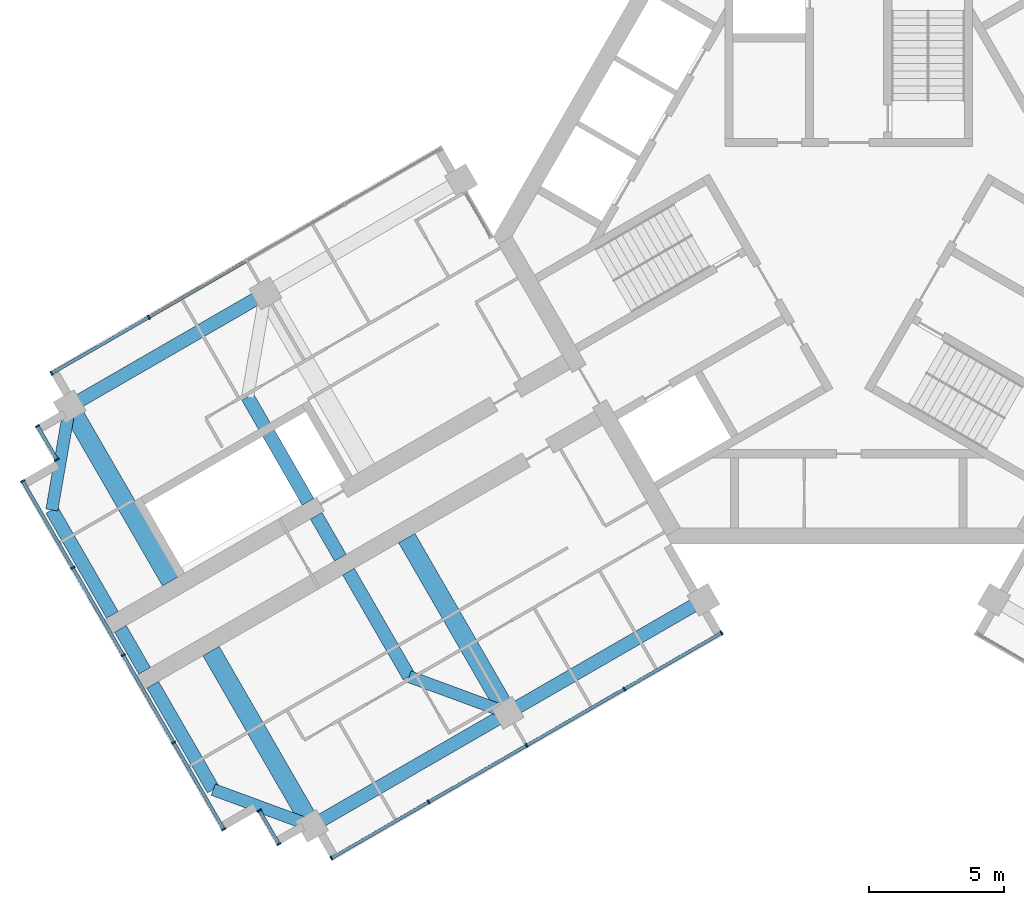
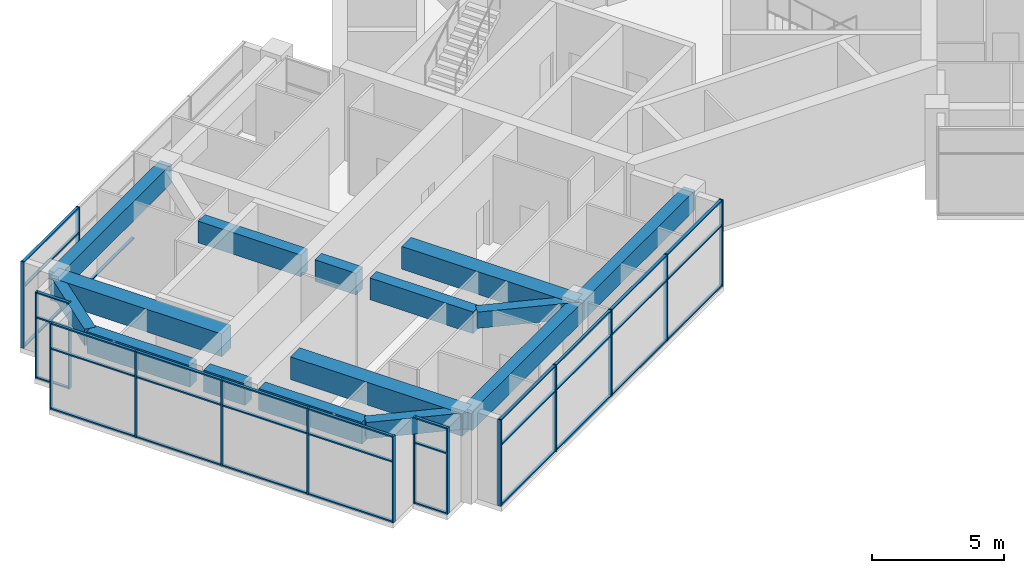
# One storey, part 2 of 14: 50 members, 15 beams, 5 elements without a shape of their own.
"""IFC4 building model written with IfcOpenShell, lengths in metres."""

import ifcopenshell
import ifcopenshell.guid

model = None  # the IFC model being written
_history = None  # IfcOwnerHistory: only IFC2X3 demands one
_inside = {}  # id of a spatial element -> (the spatial element, [elements in it])
_under = {}  # id of a project, library or spatial element -> (it, [spatial elements below it])
_declared = {}  # id of a project -> (the project, [libraries it declares])
_typed = {}  # id of a type object -> (the type object, [elements of that type])
_made_of = {}  # id of a material, layer set ... -> (it, [elements and type objects made of it])


def new_model(schema):
    """Start an empty IFC model of exactly this schema.

    Asked for "IFC4X3", IfcOpenShell would pick the latest addendum, in which some entities
    have other attributes; the version numbers below select the first issue.
    IFC2X3 requires an IfcOwnerHistory on every rooted entity: one is made here for all.
    """
    global model, _history
    if schema == "IFC4X3":
        model = ifcopenshell.file(schema_version=(4, 3, 0, 0))
    else:
        model = ifcopenshell.file(schema=schema)
    _inside.clear()
    _under.clear()
    _declared.clear()
    _typed.clear()
    _made_of.clear()
    _history = None
    if model.schema == "IFC2X3":
        org = make("IfcOrganization", Name="unknown")
        user = make(
            "IfcPersonAndOrganization",
            ThePerson=make("IfcPerson", FamilyName="unknown"),
            TheOrganization=org,
        )
        app = make(
            "IfcApplication",
            ApplicationDeveloper=org,
            Version="unknown",
            ApplicationFullName="unknown",
            ApplicationIdentifier="unknown",
        )
        _history = make(
            "IfcOwnerHistory",
            OwningUser=user,
            OwningApplication=app,
            ChangeAction="ADDED",
            CreationDate=0,
        )
    return model


def make(cls, **values):
    """One entity of the class cls with the attributes given. An attribute that is None is left unset."""
    return model.create_entity(
        cls, **{name: value for name, value in values.items() if value is not None}
    )


def rooted(cls, **values):
    """An entity with a GlobalId (a new one), such as an element, a storey or a relation."""
    return make(cls, GlobalId=ifcopenshell.guid.new(), OwnerHistory=_history, **values)


def si_unit(unit_type, name, prefix=None):
    """IfcSIUnit, for example si_unit("LENGTHUNIT", "METRE", prefix="MILLI")."""
    return make("IfcSIUnit", UnitType=unit_type, Prefix=prefix, Name=name)


def assignment(units):
    """IfcUnitAssignment: the units of a project."""
    return None if units is None else make("IfcUnitAssignment", Units=units)


def point(xyz):
    """IfcCartesianPoint."""
    return None if xyz is None else make("IfcCartesianPoint", Coordinates=xyz)


def direction(xyz):
    """IfcDirection."""
    return None if xyz is None else make("IfcDirection", DirectionRatios=xyz)


def frame(location, z_axis=None, x_axis=None):
    """IfcAxis2Placement3D, a coordinate frame: its origin and axes. An axis left out is left unset."""
    return make(
        "IfcAxis2Placement3D",
        Location=point(location),
        Axis=direction(z_axis),
        RefDirection=direction(x_axis),
    )


def frame_2d(location, x_axis=None):
    """IfcAxis2Placement2D, a coordinate frame in the plane: its origin and x axis."""
    return make(
        "IfcAxis2Placement2D", Location=point(location), RefDirection=direction(x_axis)
    )


def origin():
    """The frame at (0, 0, 0) with its axes left unset."""
    return frame((0.0, 0.0, 0.0))


def origin_2d():
    """The frame at (0, 0) in the plane with its x axis left unset."""
    return frame_2d((0.0, 0.0))


def place(relative_to, where):
    """IfcLocalPlacement: puts the frame where relative to a parent placement (None: the world)."""
    return make(
        "IfcLocalPlacement", PlacementRelTo=relative_to, RelativePlacement=where
    )


def context(
    kind, dimensions, precision=None, world=None, true_north=None, identifier=None
):
    """IfcGeometricRepresentationContext, for example the 3D "Model" context."""
    return make(
        "IfcGeometricRepresentationContext",
        ContextIdentifier=identifier,
        ContextType=kind,
        CoordinateSpaceDimension=dimensions,
        Precision=precision,
        WorldCoordinateSystem=world,
        TrueNorth=true_north,
    )


def subcontext(parent, identifier, kind, view, scale=None):
    """IfcGeometricRepresentationSubContext, for example "Body" below "Model"."""
    return make(
        "IfcGeometricRepresentationSubContext",
        ContextIdentifier=identifier,
        ContextType=kind,
        ParentContext=parent,
        TargetScale=scale,
        TargetView=view,
    )


def project(units=None, contexts=None):
    """IfcProject with its units and contexts."""
    return rooted(
        "IfcProject",
        Name="project",
        RepresentationContexts=contexts,
        UnitsInContext=assignment(units),
    )


def spatial(cls, under=None, at=None, **own):
    """A site, building, storey or space (cls), placed at a placement, below another one or the project."""
    s = rooted(cls, ObjectPlacement=at, **own)
    if under is not None:
        _under.setdefault(under.id(), (under, []))[1].append(s)
    return s


def profile(cls, at=None, kind="AREA", **sizes):
    """A parametric profile (cls). Its sizes go by their IFC names, for example OverallWidth=200.0."""
    return make(cls, ProfileType=kind, Position=at, **sizes)


def rectangle(**sizes):
    """IfcRectangleProfileDef."""
    return profile("IfcRectangleProfileDef", **sizes)


def extrude(swept, where, along, depth):
    """IfcExtrudedAreaSolid: the profile swept, set in the frame where, extruded along a direction by depth."""
    return make(
        "IfcExtrudedAreaSolid",
        SweptArea=swept,
        Position=where,
        ExtrudedDirection=direction(along),
        Depth=depth,
    )


def shape(context_of_items, identifier, shape_type, items):
    """IfcShapeRepresentation: the items that make up one representation, for example the "Body"."""
    return make(
        "IfcShapeRepresentation",
        ContextOfItems=context_of_items,
        RepresentationIdentifier=identifier,
        RepresentationType=shape_type,
        Items=items,
    )


def material(Name=None, Category=None):
    """IfcMaterial."""
    return make("IfcMaterial", Name=Name, Category=Category)


def material_profile(
    of_material, cross_section, Name=None, Category=None, Priority=None
):
    """IfcMaterialProfile: a cross section and its material."""
    return make(
        "IfcMaterialProfile",
        Name=Name,
        Material=of_material,
        Profile=cross_section,
        Priority=Priority,
        Category=Category,
    )


def profile_set(profiles, Name=None, composite=None):
    """IfcMaterialProfileSet."""
    return make(
        "IfcMaterialProfileSet",
        Name=Name,
        MaterialProfiles=profiles,
        CompositeProfile=composite,
    )


def made_of(thing, what):
    """Note that an element or type object is made of a material, layer set ...; save() writes the relation."""
    if what is not None:
        _made_of.setdefault(what.id(), (what, []))[1].append(thing)
    return thing


def type_object(cls, material=None, **own):
    """A type object (cls), such as IfcWallType, which elements share."""
    return made_of(rooted(cls, **own), material)


def element(
    cls,
    number,
    at=None,
    inside=None,
    cuts=None,
    type_object=None,
    material=None,
    context=None,
    identifier="Body",
    shape_type=None,
    held_by="IfcProductDefinitionShape",
    body=None,
    shapes=None,
    **own,
):
    """One element of the class cls, such as IfcWall. Its Tag is "e" and its number.

    at: its placement. inside: the storey or other place that contains it. cuts: it is an
    opening in that element (IfcRelVoidsElement). A single representation is given by context,
    identifier, shape_type and body (its items); several are given by shapes. held_by: the class
    of the entity that holds the representations. save() writes the other relations.
    """
    e = rooted(cls, Tag="e%d" % number, ObjectPlacement=at, **own)
    if body is not None:
        shapes = [shape(context, identifier, shape_type, body)]
    if shapes is not None:
        e.Representation = make(held_by, Representations=shapes)
    if inside is not None:
        _inside.setdefault(inside.id(), (inside, []))[1].append(e)
    if cuts is not None:
        rooted(
            "IfcRelVoidsElement", RelatingBuildingElement=cuts, RelatedOpeningElement=e
        )
    if type_object is not None:
        _typed.setdefault(type_object.id(), (type_object, []))[1].append(e)
    return made_of(e, material)


def aggregate(whole, parts):
    """IfcRelAggregates: a whole, such as a stair, and the parts it consists of."""
    return rooted("IfcRelAggregates", RelatingObject=whole, RelatedObjects=parts)


def save(model, path):
    """Write the relations noted so far, then the file.

    IfcRelAggregates (storeys below a building ...), IfcRelContainedInSpatialStructure (elements
    in a storey), IfcRelDefinesByType, IfcRelAssociatesMaterial and IfcRelDeclares: one each for
    every whole, place, type object, material and project.
    """
    for whole, parts in _under.values():
        aggregate(whole, parts)
    for where, things in _inside.values():
        rooted(
            "IfcRelContainedInSpatialStructure",
            RelatedElements=things,
            RelatingStructure=where,
        )
    for kind, things in _typed.values():
        rooted("IfcRelDefinesByType", RelatedObjects=things, RelatingType=kind)
    for what, things in _made_of.values():
        rooted("IfcRelAssociatesMaterial", RelatedObjects=things, RelatingMaterial=what)
    for by, libraries in _declared.values():
        rooted("IfcRelDeclares", RelatingContext=by, RelatedDefinitions=libraries)
    model.write(path)


model = new_model("IFC4")

# Units and contexts
model_context = context("Model", 3, precision=1e-05, world=origin(), true_north=direction((0.0, 1.0)))
body_context = subcontext(model_context, "Body", "Model", "MODEL_VIEW")
ifc_project = project(units=[si_unit("LENGTHUNIT", "METRE"), si_unit("AREAUNIT", "SQUARE_METRE"), si_unit("VOLUMEUNIT", "CUBIC_METRE"), si_unit("PLANEANGLEUNIT", "RADIAN"), si_unit("MASSUNIT", "GRAM", prefix="KILO")], contexts=[model_context])

# Site, building, storey
site_placement = place(None, origin())
site = spatial("IfcSite", under=ifc_project, at=site_placement, CompositionType="ELEMENT")
building_placement = place(site_placement, origin())
building = spatial("IfcBuilding", under=site, at=building_placement, Name="Impinga Residences", CompositionType="ELEMENT")
storey_placement = place(building_placement, frame((0.0, 0.0, 278.949951171875)))
storey = spatial("IfcBuildingStorey", under=building, at=storey_placement, Name="L70", CompositionType="ELEMENT", Elevation=278.949951171875)

# Beams
ifc_material_1 = material(Name="Concrete C60/75", Category="concrete")
ifc_material_profile_1 = material_profile(ifc_material_1, rectangle(XDim=0.449951171875, YDim=0.75, at=origin_2d()), Name="RC 450x750")
ifc_profile_set_1 = profile_set([ifc_material_profile_1], Name="Concrete C60/75")
beam_type_1 = type_object("IfcBeamType", Name="CB1 450x750 wing end cantilever beam", PredefinedType="BEAM", material=ifc_profile_set_1)
for number, where, z_axis, x_axis, name in (
    (1, (-12.674560546875, -17.7099609375, 3.60498046875), (-0.938520178725, 0.345224382289, 0.0), (-0.345224382289, -0.938520178725, 0.0), "Beam CB1 WB W2-WX level L71"),
    (2, (-19.94921875, -21.909912109375, 3.60498046875), (-0.93854043338, 0.345169313396, 0.0), (-0.345169313396, -0.93854043338, 0.0), "Beam CB1 WB W3-WX level L71"),
):
    element("IfcBeam", number, at=place(storey_placement, frame(where, z_axis=z_axis, x_axis=x_axis)), inside=storey, type_object=beam_type_1, Name=name, PredefinedType="BEAM", context=body_context, shape_type="SweptSolid", body=[
        extrude(rectangle(XDim=0.449951171875, YDim=0.75, at=origin_2d()), origin(), (0.0, 0.0, 1.0), 3.905029296875),
    ])
beam_1_placement = place(storey_placement, frame((-28.94921875, -6.321533203125, 3.60498046875), z_axis=(-0.170296298948, -0.985392901621, 0.0), x_axis=(0.985392901621, -0.170296298948, 0.0)))
element("IfcBeam", 3, at=beam_1_placement, inside=storey, type_object=beam_type_1, Name="Beam CB1 WE W3-WX level L71", PredefinedType="BEAM", context=body_context, shape_type="SweptSolid", body=[
    extrude(rectangle(XDim=0.449951171875, YDim=0.75, at=origin_2d()), origin(), (0.0, 0.0, 1.0), 3.9052734375),
])
ifc_material_profile_2 = material_profile(ifc_material_1, rectangle(XDim=0.699951171875, YDim=1.050048828125, at=origin_2d()), Name="RC 700x1050")
ifc_profile_set_2 = profile_set([ifc_material_profile_2], Name="Concrete C60/75")
beam_type_2 = type_object("IfcBeamType", Name="CG1 700x1050 cross girder on a wing bay line", PredefinedType="BEAM", material=ifc_profile_set_2)
for number, where, z_axis, x_axis, name in (
    (4, (-16.424560546875, -11.21484375, 3.455078125), (0.500004234368, -0.866022959057, 0.0), (0.866022959057, 0.500004234368, 0.0), "Beam CG1 W2 WC/WA level L71"),
    (5, (-23.69921875, -15.414794921875, 3.455078125), (0.500004234368, -0.866022959057, 0.0), (0.866022959057, 0.500004234368, 0.0), "Beam CG1 W3 WC/WA level L71"),
    (6, (-25.19921875, -12.816650390625, 3.455078125), (-0.500004234368, 0.866022959057, 0.0), (-0.866022959057, -0.500004234368, 0.0), "Beam CG1 W3 WC/WF level L71"),
):
    element("IfcBeam", number, at=place(storey_placement, frame(where, z_axis=z_axis, x_axis=x_axis)), inside=storey, type_object=beam_type_2, Name=name, PredefinedType="BEAM", context=body_context, shape_type="SweptSolid", body=[
        extrude(rectangle(XDim=0.699951171875, YDim=1.050048828125, at=origin_2d()), origin(), (0.0, 0.0, 1.0), 7.5),
    ])

# Curtain wall, members
ifc_material_2 = material(Name="Aluminium stick curtain wall", Category="aluminium")
curtain_wall_type = type_object("IfcCurtainWallType", Name="CW3 penthouse curtain wall", PredefinedType="USERDEFINED", material=ifc_material_2)
curtain_wall_1_placement = place(storey_placement, origin())
curtain_wall_1 = element("IfcCurtainWall", 7, at=curtain_wall_1_placement, inside=storey, type_object=curtain_wall_type, Name="Curtain wall CW3 L70", ObjectType="STICK CURTAIN WALL", PredefinedType="USERDEFINED")
ifc_material_3 = material(Name="Aluminium mullion", Category="aluminium")
ifc_material_profile_3 = material_profile(ifc_material_3, rectangle(XDim=0.06005859375, YDim=0.159912109375, at=origin_2d()), Name="60x160 mullion")
ifc_profile_set_3 = profile_set([ifc_material_profile_3], Name="Aluminium mullion")
member_type_1 = type_object("IfcMemberType", Name="CW3-M mullion 60x160", PredefinedType="MULLION", material=ifc_profile_set_3)
member_1_placement = place(storey_placement, frame((-21.1767578125, -22.583984375, 0.0), z_axis=(0.0, 0.0, 1.0), x_axis=(-0.500000030502, 0.866025386174, 0.0)))
member_1 = element("IfcMember", 8, at=member_1_placement, type_object=member_type_1, Name="CW3 mullion 1", PredefinedType="MULLION", context=body_context, shape_type="SweptSolid", body=[
    extrude(rectangle(XDim=0.06005859375, YDim=0.159912109375, at=origin_2d()), origin(), (0.0, 0.0, 1.0), 3.97998046875),
])
member_2_placement = place(storey_placement, frame((-21.896728515625, -21.3369140625, 0.0), z_axis=(0.0, 0.0, 1.0), x_axis=(-0.500000030502, 0.866025386174, 0.0)))
member_2 = element("IfcMember", 9, at=member_2_placement, type_object=member_type_1, Name="CW3 mullion 2", PredefinedType="MULLION", context=body_context, shape_type="SweptSolid", body=[
    extrude(rectangle(XDim=0.06005859375, YDim=0.159912109375, at=origin_2d()), origin(), (0.0, 0.0, 1.0), 3.97998046875),
])

curtain_wall_2_placement = place(storey_placement, origin())
curtain_wall_2 = element("IfcCurtainWall", 10, at=curtain_wall_2_placement, inside=storey, type_object=curtain_wall_type, Name="Curtain wall CW3 L70", ObjectType="STICK CURTAIN WALL", PredefinedType="USERDEFINED")
member_3_placement = place(storey_placement, frame((-23.2255859375, -22.034912109375, 0.0), z_axis=(0.0, 0.0, 1.0), x_axis=(-0.500000001632, 0.866025402842, 0.0)))
member_3 = element("IfcMember", 11, at=member_3_placement, type_object=member_type_1, Name="CW3 mullion 1", PredefinedType="MULLION", context=body_context, shape_type="SweptSolid", body=[
    extrude(rectangle(XDim=0.06005859375, YDim=0.159912109375, at=origin_2d()), origin(), (0.0, 0.0, 1.0), 3.97998046875),
])
member_4_placement = place(storey_placement, frame((-25.085693359375, -18.8134765625, 0.0), z_axis=(0.0, 0.0, 1.0), x_axis=(-0.500000001632, 0.866025402842, 0.0)))
member_4 = element("IfcMember", 12, at=member_4_placement, type_object=member_type_1, Name="CW3 mullion 2", PredefinedType="MULLION", context=body_context, shape_type="SweptSolid", body=[
    extrude(rectangle(XDim=0.06005859375, YDim=0.159912109375, at=origin_2d()), origin(), (0.0, 0.0, 1.0), 3.97998046875),
])
member_5_placement = place(storey_placement, frame((-26.960693359375, -15.565673828125, 0.0), z_axis=(0.0, 0.0, 1.0), x_axis=(-0.500000001632, 0.866025402842, 0.0)))
member_5 = element("IfcMember", 13, at=member_5_placement, type_object=member_type_1, Name="CW3 mullion 3", PredefinedType="MULLION", context=body_context, shape_type="SweptSolid", body=[
    extrude(rectangle(XDim=0.06005859375, YDim=0.159912109375, at=origin_2d()), origin(), (0.0, 0.0, 1.0), 3.97998046875),
])
member_6_placement = place(storey_placement, frame((-28.835693359375, -12.318115234375, 0.0), z_axis=(0.0, 0.0, 1.0), x_axis=(-0.500000001632, 0.866025402842, 0.0)))
member_6 = element("IfcMember", 14, at=member_6_placement, type_object=member_type_1, Name="CW3 mullion 4", PredefinedType="MULLION", context=body_context, shape_type="SweptSolid", body=[
    extrude(rectangle(XDim=0.06005859375, YDim=0.159912109375, at=origin_2d()), origin(), (0.0, 0.0, 1.0), 3.97998046875),
])
member_7_placement = place(storey_placement, frame((-30.69580078125, -9.0966796875, 0.0), z_axis=(0.0, 0.0, 1.0), x_axis=(-0.500000001632, 0.866025402842, 0.0)))
member_7 = element("IfcMember", 15, at=member_7_placement, type_object=member_type_1, Name="CW3 mullion 5", PredefinedType="MULLION", context=body_context, shape_type="SweptSolid", body=[
    extrude(rectangle(XDim=0.06005859375, YDim=0.159912109375, at=origin_2d()), origin(), (0.0, 0.0, 1.0), 3.97998046875),
])

curtain_wall_3_placement = place(storey_placement, origin())
curtain_wall_3 = element("IfcCurtainWall", 16, at=curtain_wall_3_placement, inside=storey, type_object=curtain_wall_type, Name="Curtain wall CW3 L70", ObjectType="STICK CURTAIN WALL", PredefinedType="USERDEFINED")
member_8_placement = place(storey_placement, frame((-29.4267578125, -8.294677734375, 0.0), z_axis=(0.0, 0.0, 1.0), x_axis=(-0.500000030502, 0.866025386174, 0.0)))
member_8 = element("IfcMember", 17, at=member_8_placement, type_object=member_type_1, Name="CW3 mullion 1", PredefinedType="MULLION", context=body_context, shape_type="SweptSolid", body=[
    extrude(rectangle(XDim=0.06005859375, YDim=0.159912109375, at=origin_2d()), origin(), (0.0, 0.0, 1.0), 3.97998046875),
])
member_9_placement = place(storey_placement, frame((-30.146728515625, -7.047607421875, 0.0), z_axis=(0.0, 0.0, 1.0), x_axis=(-0.500000030502, 0.866025386174, 0.0)))
member_9 = element("IfcMember", 18, at=member_9_placement, type_object=member_type_1, Name="CW3 mullion 2", PredefinedType="MULLION", context=body_context, shape_type="SweptSolid", body=[
    extrude(rectangle(XDim=0.06005859375, YDim=0.159912109375, at=origin_2d()), origin(), (0.0, 0.0, 1.0), 3.97998046875),
])

curtain_wall_4_placement = place(storey_placement, origin())
curtain_wall_4 = element("IfcCurtainWall", 19, at=curtain_wall_4_placement, inside=storey, type_object=curtain_wall_type, Name="Curtain wall CW3 L70", ObjectType="STICK CURTAIN WALL", PredefinedType="USERDEFINED")
member_10_placement = place(storey_placement, frame((-29.623291015625, -5.093994140625, 0.0), z_axis=(0.0, 0.0, 1.0), x_axis=(0.866025407005, 0.499999994423, 0.0)))
member_10 = element("IfcMember", 20, at=member_10_placement, type_object=member_type_1, Name="CW3 mullion 1", PredefinedType="MULLION", context=body_context, shape_type="SweptSolid", body=[
    extrude(rectangle(XDim=0.06005859375, YDim=0.159912109375, at=origin_2d()), origin(), (0.0, 0.0, 1.0), 3.97998046875),
])
member_11_placement = place(storey_placement, frame((-26.011962890625, -3.009033203125, 0.0), z_axis=(0.0, 0.0, 1.0), x_axis=(0.866025407005, 0.499999994423, 0.0)))
member_11 = element("IfcMember", 21, at=member_11_placement, type_object=member_type_1, Name="CW3 mullion 2", PredefinedType="MULLION", context=body_context, shape_type="SweptSolid", body=[
    extrude(rectangle(XDim=0.06005859375, YDim=0.159912109375, at=origin_2d()), origin(), (0.0, 0.0, 1.0), 3.97998046875),
])

curtain_wall_5_placement = place(storey_placement, origin())
curtain_wall_5 = element("IfcCurtainWall", 22, at=curtain_wall_5_placement, inside=storey, type_object=curtain_wall_type, Name="Curtain wall CW3 L70", ObjectType="STICK CURTAIN WALL", PredefinedType="USERDEFINED")
member_12_placement = place(storey_placement, frame((-4.72607421875, -14.737548828125, 0.0), z_axis=(0.0, 0.0, 1.0), x_axis=(-0.866025407005, -0.499999994423, 0.0)))
member_12 = element("IfcMember", 23, at=member_12_placement, type_object=member_type_1, Name="CW3 mullion 1", PredefinedType="MULLION", context=body_context, shape_type="SweptSolid", body=[
    extrude(rectangle(XDim=0.06005859375, YDim=0.159912109375, at=origin_2d()), origin(), (0.0, 0.0, 1.0), 3.97998046875),
])
member_13_placement = place(storey_placement, frame((-8.33740234375, -16.822509765625, 0.0), z_axis=(0.0, 0.0, 1.0), x_axis=(-0.866025407005, -0.499999994423, 0.0)))
member_13 = element("IfcMember", 24, at=member_13_placement, type_object=member_type_1, Name="CW3 mullion 2", PredefinedType="MULLION", context=body_context, shape_type="SweptSolid", body=[
    extrude(rectangle(XDim=0.06005859375, YDim=0.159912109375, at=origin_2d()), origin(), (0.0, 0.0, 1.0), 3.97998046875),
])
member_14_placement = place(storey_placement, frame((-11.974609375, -18.92236328125, 0.0), z_axis=(0.0, 0.0, 1.0), x_axis=(-0.866025407005, -0.499999994423, 0.0)))
member_14 = element("IfcMember", 25, at=member_14_placement, type_object=member_type_1, Name="CW3 mullion 3", PredefinedType="MULLION", context=body_context, shape_type="SweptSolid", body=[
    extrude(rectangle(XDim=0.06005859375, YDim=0.159912109375, at=origin_2d()), origin(), (0.0, 0.0, 1.0), 3.97998046875),
])
member_15_placement = place(storey_placement, frame((-15.61181640625, -21.0224609375, 0.0), z_axis=(0.0, 0.0, 1.0), x_axis=(-0.866025407005, -0.499999994423, 0.0)))
member_15 = element("IfcMember", 26, at=member_15_placement, type_object=member_type_1, Name="CW3 mullion 4", PredefinedType="MULLION", context=body_context, shape_type="SweptSolid", body=[
    extrude(rectangle(XDim=0.06005859375, YDim=0.159912109375, at=origin_2d()), origin(), (0.0, 0.0, 1.0), 3.97998046875),
])
member_16_placement = place(storey_placement, frame((-19.22314453125, -23.107421875, 0.0), z_axis=(0.0, 0.0, 1.0), x_axis=(-0.866025407005, -0.499999994423, 0.0)))
member_16 = element("IfcMember", 27, at=member_16_placement, type_object=member_type_1, Name="CW3 mullion 5", PredefinedType="MULLION", context=body_context, shape_type="SweptSolid", body=[
    extrude(rectangle(XDim=0.06005859375, YDim=0.159912109375, at=origin_2d()), origin(), (0.0, 0.0, 1.0), 3.97998046875),
])

# Member
ifc_material_4 = material(Name="Aluminium transom", Category="aluminium")
ifc_material_profile_4 = material_profile(ifc_material_4, rectangle(XDim=0.06005859375, YDim=0.1201171875, at=origin_2d()), Name="60x120 transom")
ifc_profile_set_4 = profile_set([ifc_material_profile_4], Name="Aluminium transom")
member_type_2 = type_object("IfcMemberType", Name="CW3-T transom 60x120", PredefinedType="USERDEFINED", material=ifc_profile_set_4)
member_17_placement = place(storey_placement, frame((-21.191650390625, -22.55810546875, 0.030029296875), z_axis=(-0.499982807329, 0.86603532975, 0.0), x_axis=(0.0, 0.0, 1.0)))
member_17 = element("IfcMember", 28, at=member_17_placement, type_object=member_type_2, Name="CW3 transom 1.1", ObjectType="TRANSOM", PredefinedType="USERDEFINED", context=body_context, shape_type="SweptSolid", body=[
    extrude(rectangle(XDim=0.06005859375, YDim=0.1201171875, at=origin_2d()), origin(), (0.0, 0.0, 1.0), 1.3798828125),
])

member_18_placement = place(storey_placement, frame((-21.191650390625, -22.55810546875, 2.800048828125), z_axis=(-0.499982807329, 0.86603532975, 0.0), x_axis=(0.0, 0.0, 1.0)))
member_18 = element("IfcMember", 29, at=member_18_placement, type_object=member_type_2, Name="CW3 transom 1.2", ObjectType="TRANSOM", PredefinedType="USERDEFINED", context=body_context, shape_type="SweptSolid", body=[
    extrude(rectangle(XDim=0.06005859375, YDim=0.1201171875, at=origin_2d()), origin(), (0.0, 0.0, 1.0), 1.3798828125),
])

member_19_placement = place(storey_placement, frame((-21.191650390625, -22.55810546875, 3.949951171875), z_axis=(-0.499982807329, 0.86603532975, 0.0), x_axis=(0.0, 0.0, 1.0)))
member_19 = element("IfcMember", 30, at=member_19_placement, type_object=member_type_2, Name="CW3 transom 1.3", ObjectType="TRANSOM", PredefinedType="USERDEFINED", context=body_context, shape_type="SweptSolid", body=[
    extrude(rectangle(XDim=0.06005859375, YDim=0.1201171875, at=origin_2d()), origin(), (0.0, 0.0, 1.0), 1.3798828125),
])

aggregate(curtain_wall_1, [member_1, member_2, member_17, member_18, member_19])

member_20_placement = place(storey_placement, frame((-23.24072265625, -22.009033203125, 0.030029296875), z_axis=(-0.500013080017, 0.866017851902, 0.0), x_axis=(0.0, 0.0, 1.0)))
member_20 = element("IfcMember", 31, at=member_20_placement, type_object=member_type_2, Name="CW3 transom 1.1", ObjectType="TRANSOM", PredefinedType="USERDEFINED", context=body_context, shape_type="SweptSolid", body=[
    extrude(rectangle(XDim=0.06005859375, YDim=0.1201171875, at=origin_2d()), origin(), (0.0, 0.0, 1.0), 3.66015625),
])

member_21_placement = place(storey_placement, frame((-23.24072265625, -22.009033203125, 2.800048828125), z_axis=(-0.500013080017, 0.866017851902, 0.0), x_axis=(0.0, 0.0, 1.0)))
member_21 = element("IfcMember", 32, at=member_21_placement, type_object=member_type_2, Name="CW3 transom 1.2", ObjectType="TRANSOM", PredefinedType="USERDEFINED", context=body_context, shape_type="SweptSolid", body=[
    extrude(rectangle(XDim=0.06005859375, YDim=0.1201171875, at=origin_2d()), origin(), (0.0, 0.0, 1.0), 3.66015625),
])

member_22_placement = place(storey_placement, frame((-23.24072265625, -22.009033203125, 3.949951171875), z_axis=(-0.500013080017, 0.866017851902, 0.0), x_axis=(0.0, 0.0, 1.0)))
member_22 = element("IfcMember", 33, at=member_22_placement, type_object=member_type_2, Name="CW3 transom 1.3", ObjectType="TRANSOM", PredefinedType="USERDEFINED", context=body_context, shape_type="SweptSolid", body=[
    extrude(rectangle(XDim=0.06005859375, YDim=0.1201171875, at=origin_2d()), origin(), (0.0, 0.0, 1.0), 3.66015625),
])

member_23_placement = place(storey_placement, frame((-25.1005859375, -18.787353515625, 0.030029296875), z_axis=(-0.500052713345, 0.865994967581, 0.0), x_axis=(0.0, 0.0, 1.0)))
member_23 = element("IfcMember", 34, at=member_23_placement, type_object=member_type_2, Name="CW3 transom 2.1", ObjectType="TRANSOM", PredefinedType="USERDEFINED", context=body_context, shape_type="SweptSolid", body=[
    extrude(rectangle(XDim=0.06005859375, YDim=0.1201171875, at=origin_2d()), origin(), (0.0, 0.0, 1.0), 3.68994140625),
])

member_24_placement = place(storey_placement, frame((-25.1005859375, -18.787353515625, 2.800048828125), z_axis=(-0.500052713345, 0.865994967581, 0.0), x_axis=(0.0, 0.0, 1.0)))
member_24 = element("IfcMember", 35, at=member_24_placement, type_object=member_type_2, Name="CW3 transom 2.2", ObjectType="TRANSOM", PredefinedType="USERDEFINED", context=body_context, shape_type="SweptSolid", body=[
    extrude(rectangle(XDim=0.06005859375, YDim=0.1201171875, at=origin_2d()), origin(), (0.0, 0.0, 1.0), 3.68994140625),
])

member_25_placement = place(storey_placement, frame((-25.1005859375, -18.787353515625, 3.949951171875), z_axis=(-0.500052713345, 0.865994967581, 0.0), x_axis=(0.0, 0.0, 1.0)))
member_25 = element("IfcMember", 36, at=member_25_placement, type_object=member_type_2, Name="CW3 transom 2.3", ObjectType="TRANSOM", PredefinedType="USERDEFINED", context=body_context, shape_type="SweptSolid", body=[
    extrude(rectangle(XDim=0.06005859375, YDim=0.1201171875, at=origin_2d()), origin(), (0.0, 0.0, 1.0), 3.68994140625),
])

member_26_placement = place(storey_placement, frame((-26.9755859375, -15.539794921875, 0.030029296875), z_axis=(-0.500052713345, 0.865994967581, 0.0), x_axis=(0.0, 0.0, 1.0)))
member_26 = element("IfcMember", 37, at=member_26_placement, type_object=member_type_2, Name="CW3 transom 3.1", ObjectType="TRANSOM", PredefinedType="USERDEFINED", context=body_context, shape_type="SweptSolid", body=[
    extrude(rectangle(XDim=0.06005859375, YDim=0.1201171875, at=origin_2d()), origin(), (0.0, 0.0, 1.0), 3.68994140625),
])

member_27_placement = place(storey_placement, frame((-26.9755859375, -15.539794921875, 2.800048828125), z_axis=(-0.500052713345, 0.865994967581, 0.0), x_axis=(0.0, 0.0, 1.0)))
member_27 = element("IfcMember", 38, at=member_27_placement, type_object=member_type_2, Name="CW3 transom 3.2", ObjectType="TRANSOM", PredefinedType="USERDEFINED", context=body_context, shape_type="SweptSolid", body=[
    extrude(rectangle(XDim=0.06005859375, YDim=0.1201171875, at=origin_2d()), origin(), (0.0, 0.0, 1.0), 3.68994140625),
])

member_28_placement = place(storey_placement, frame((-26.9755859375, -15.539794921875, 3.949951171875), z_axis=(-0.500052713345, 0.865994967581, 0.0), x_axis=(0.0, 0.0, 1.0)))
member_28 = element("IfcMember", 39, at=member_28_placement, type_object=member_type_2, Name="CW3 transom 3.3", ObjectType="TRANSOM", PredefinedType="USERDEFINED", context=body_context, shape_type="SweptSolid", body=[
    extrude(rectangle(XDim=0.06005859375, YDim=0.1201171875, at=origin_2d()), origin(), (0.0, 0.0, 1.0), 3.68994140625),
])

member_29_placement = place(storey_placement, frame((-28.8505859375, -12.292236328125, 0.030029296875), z_axis=(-0.500013080017, 0.866017851902, 0.0), x_axis=(0.0, 0.0, 1.0)))
member_29 = element("IfcMember", 40, at=member_29_placement, type_object=member_type_2, Name="CW3 transom 4.1", ObjectType="TRANSOM", PredefinedType="USERDEFINED", context=body_context, shape_type="SweptSolid", body=[
    extrude(rectangle(XDim=0.06005859375, YDim=0.1201171875, at=origin_2d()), origin(), (0.0, 0.0, 1.0), 3.66015625),
])

member_30_placement = place(storey_placement, frame((-28.8505859375, -12.292236328125, 2.800048828125), z_axis=(-0.500013080017, 0.866017851902, 0.0), x_axis=(0.0, 0.0, 1.0)))
member_30 = element("IfcMember", 41, at=member_30_placement, type_object=member_type_2, Name="CW3 transom 4.2", ObjectType="TRANSOM", PredefinedType="USERDEFINED", context=body_context, shape_type="SweptSolid", body=[
    extrude(rectangle(XDim=0.06005859375, YDim=0.1201171875, at=origin_2d()), origin(), (0.0, 0.0, 1.0), 3.66015625),
])

member_31_placement = place(storey_placement, frame((-28.8505859375, -12.292236328125, 3.949951171875), z_axis=(-0.500013080017, 0.866017851902, 0.0), x_axis=(0.0, 0.0, 1.0)))
member_31 = element("IfcMember", 42, at=member_31_placement, type_object=member_type_2, Name="CW3 transom 4.3", ObjectType="TRANSOM", PredefinedType="USERDEFINED", context=body_context, shape_type="SweptSolid", body=[
    extrude(rectangle(XDim=0.06005859375, YDim=0.1201171875, at=origin_2d()), origin(), (0.0, 0.0, 1.0), 3.66015625),
])

aggregate(curtain_wall_2, [member_3, member_4, member_5, member_6, member_7, member_20, member_21, member_22, member_23, member_24, member_25, member_26, member_27, member_28, member_29, member_30, member_31])

member_32_placement = place(storey_placement, frame((-29.441650390625, -8.2685546875, 0.030029296875), z_axis=(-0.499982807329, 0.86603532975, 0.0), x_axis=(0.0, 0.0, 1.0)))
member_32 = element("IfcMember", 43, at=member_32_placement, type_object=member_type_2, Name="CW3 transom 1.1", ObjectType="TRANSOM", PredefinedType="USERDEFINED", context=body_context, shape_type="SweptSolid", body=[
    extrude(rectangle(XDim=0.06005859375, YDim=0.1201171875, at=origin_2d()), origin(), (0.0, 0.0, 1.0), 1.3798828125),
])

member_33_placement = place(storey_placement, frame((-29.441650390625, -8.2685546875, 2.800048828125), z_axis=(-0.499982807329, 0.86603532975, 0.0), x_axis=(0.0, 0.0, 1.0)))
member_33 = element("IfcMember", 44, at=member_33_placement, type_object=member_type_2, Name="CW3 transom 1.2", ObjectType="TRANSOM", PredefinedType="USERDEFINED", context=body_context, shape_type="SweptSolid", body=[
    extrude(rectangle(XDim=0.06005859375, YDim=0.1201171875, at=origin_2d()), origin(), (0.0, 0.0, 1.0), 1.3798828125),
])

member_34_placement = place(storey_placement, frame((-29.441650390625, -8.2685546875, 3.949951171875), z_axis=(-0.499982807329, 0.86603532975, 0.0), x_axis=(0.0, 0.0, 1.0)))
member_34 = element("IfcMember", 45, at=member_34_placement, type_object=member_type_2, Name="CW3 transom 1.3", ObjectType="TRANSOM", PredefinedType="USERDEFINED", context=body_context, shape_type="SweptSolid", body=[
    extrude(rectangle(XDim=0.06005859375, YDim=0.1201171875, at=origin_2d()), origin(), (0.0, 0.0, 1.0), 1.3798828125),
])

aggregate(curtain_wall_3, [member_8, member_9, member_32, member_33, member_34])

member_35_placement = place(storey_placement, frame((-29.59716796875, -5.0791015625, 0.030029296875), z_axis=(0.866030279993, 0.499991554064, 0.0), x_axis=(0.0, 0.0, 1.0)))
member_35 = element("IfcMember", 46, at=member_35_placement, type_object=member_type_2, Name="CW3 transom 1.1", ObjectType="TRANSOM", PredefinedType="USERDEFINED", context=body_context, shape_type="SweptSolid", body=[
    extrude(rectangle(XDim=0.06005859375, YDim=0.1201171875, at=origin_2d()), origin(), (0.0, 0.0, 1.0), 4.10986328125),
])

member_36_placement = place(storey_placement, frame((-29.59716796875, -5.0791015625, 2.800048828125), z_axis=(0.866030279993, 0.499991554064, 0.0), x_axis=(0.0, 0.0, 1.0)))
member_36 = element("IfcMember", 47, at=member_36_placement, type_object=member_type_2, Name="CW3 transom 1.2", ObjectType="TRANSOM", PredefinedType="USERDEFINED", context=body_context, shape_type="SweptSolid", body=[
    extrude(rectangle(XDim=0.06005859375, YDim=0.1201171875, at=origin_2d()), origin(), (0.0, 0.0, 1.0), 4.10986328125),
])

member_37_placement = place(storey_placement, frame((-29.59716796875, -5.0791015625, 3.949951171875), z_axis=(0.866030279993, 0.499991554064, 0.0), x_axis=(0.0, 0.0, 1.0)))
member_37 = element("IfcMember", 48, at=member_37_placement, type_object=member_type_2, Name="CW3 transom 1.3", ObjectType="TRANSOM", PredefinedType="USERDEFINED", context=body_context, shape_type="SweptSolid", body=[
    extrude(rectangle(XDim=0.06005859375, YDim=0.1201171875, at=origin_2d()), origin(), (0.0, 0.0, 1.0), 4.10986328125),
])

member_38_placement = place(storey_placement, frame((-25.98583984375, -2.994140625, 0.030029296875), z_axis=(0.866009793405, 0.500027036996, 0.0), x_axis=(0.0, 0.0, 1.0)))
member_38 = element("IfcMember", 49, at=member_38_placement, type_object=member_type_2, Name="CW3 transom 2.1", ObjectType="TRANSOM", PredefinedType="USERDEFINED", context=body_context, shape_type="SweptSolid", body=[
    extrude(rectangle(XDim=0.06005859375, YDim=0.1201171875, at=origin_2d()), origin(), (0.0, 0.0, 1.0), 4.139892578125),
])

aggregate(curtain_wall_4, [member_10, member_11, member_35, member_36, member_37, member_38])

member_39_placement = place(storey_placement, frame((-4.751953125, -14.75244140625, 0.030029296875), z_axis=(-0.866030279993, -0.499991554064, 0.0), x_axis=(0.0, 0.0, 1.0)))
member_39 = element("IfcMember", 50, at=member_39_placement, type_object=member_type_2, Name="CW3 transom 1.1", ObjectType="TRANSOM", PredefinedType="USERDEFINED", context=body_context, shape_type="SweptSolid", body=[
    extrude(rectangle(XDim=0.06005859375, YDim=0.1201171875, at=origin_2d()), origin(), (0.0, 0.0, 1.0), 4.10986328125),
])

member_40_placement = place(storey_placement, frame((-4.751953125, -14.75244140625, 2.800048828125), z_axis=(-0.866030279993, -0.499991554064, 0.0), x_axis=(0.0, 0.0, 1.0)))
member_40 = element("IfcMember", 51, at=member_40_placement, type_object=member_type_2, Name="CW3 transom 1.2", ObjectType="TRANSOM", PredefinedType="USERDEFINED", context=body_context, shape_type="SweptSolid", body=[
    extrude(rectangle(XDim=0.06005859375, YDim=0.1201171875, at=origin_2d()), origin(), (0.0, 0.0, 1.0), 4.10986328125),
])

member_41_placement = place(storey_placement, frame((-4.751953125, -14.75244140625, 3.949951171875), z_axis=(-0.866030279993, -0.499991554064, 0.0), x_axis=(0.0, 0.0, 1.0)))
member_41 = element("IfcMember", 52, at=member_41_placement, type_object=member_type_2, Name="CW3 transom 1.3", ObjectType="TRANSOM", PredefinedType="USERDEFINED", context=body_context, shape_type="SweptSolid", body=[
    extrude(rectangle(XDim=0.06005859375, YDim=0.1201171875, at=origin_2d()), origin(), (0.0, 0.0, 1.0), 4.10986328125),
])

member_42_placement = place(storey_placement, frame((-8.36328125, -16.83740234375, 0.030029296875), z_axis=(-0.866024536972, -0.500001501361, 0.0), x_axis=(0.0, 0.0, 1.0)))
member_42 = element("IfcMember", 53, at=member_42_placement, type_object=member_type_2, Name="CW3 transom 2.1", ObjectType="TRANSOM", PredefinedType="USERDEFINED", context=body_context, shape_type="SweptSolid", body=[
    extrude(rectangle(XDim=0.06005859375, YDim=0.1201171875, at=origin_2d()), origin(), (0.0, 0.0, 1.0), 4.14013671875),
])

member_43_placement = place(storey_placement, frame((-8.36328125, -16.83740234375, 2.800048828125), z_axis=(-0.866024536972, -0.500001501361, 0.0), x_axis=(0.0, 0.0, 1.0)))
member_43 = element("IfcMember", 54, at=member_43_placement, type_object=member_type_2, Name="CW3 transom 2.2", ObjectType="TRANSOM", PredefinedType="USERDEFINED", context=body_context, shape_type="SweptSolid", body=[
    extrude(rectangle(XDim=0.06005859375, YDim=0.1201171875, at=origin_2d()), origin(), (0.0, 0.0, 1.0), 4.14013671875),
])

member_44_placement = place(storey_placement, frame((-8.36328125, -16.83740234375, 3.949951171875), z_axis=(-0.866024536972, -0.500001501361, 0.0), x_axis=(0.0, 0.0, 1.0)))
member_44 = element("IfcMember", 55, at=member_44_placement, type_object=member_type_2, Name="CW3 transom 2.3", ObjectType="TRANSOM", PredefinedType="USERDEFINED", context=body_context, shape_type="SweptSolid", body=[
    extrude(rectangle(XDim=0.06005859375, YDim=0.1201171875, at=origin_2d()), origin(), (0.0, 0.0, 1.0), 4.14013671875),
])

member_45_placement = place(storey_placement, frame((-12.00048828125, -18.9375, 0.030029296875), z_axis=(-0.866050071143, -0.499957272447, 0.0), x_axis=(0.0, 0.0, 1.0)))
member_45 = element("IfcMember", 56, at=member_45_placement, type_object=member_type_2, Name="CW3 transom 3.1", ObjectType="TRANSOM", PredefinedType="USERDEFINED", context=body_context, shape_type="SweptSolid", body=[
    extrude(rectangle(XDim=0.06005859375, YDim=0.1201171875, at=origin_2d()), origin(), (0.0, 0.0, 1.0), 4.139892578125),
])

member_46_placement = place(storey_placement, frame((-12.00048828125, -18.9375, 2.800048828125), z_axis=(-0.866050071143, -0.499957272447, 0.0), x_axis=(0.0, 0.0, 1.0)))
member_46 = element("IfcMember", 57, at=member_46_placement, type_object=member_type_2, Name="CW3 transom 3.2", ObjectType="TRANSOM", PredefinedType="USERDEFINED", context=body_context, shape_type="SweptSolid", body=[
    extrude(rectangle(XDim=0.06005859375, YDim=0.1201171875, at=origin_2d()), origin(), (0.0, 0.0, 1.0), 4.139892578125),
])

member_47_placement = place(storey_placement, frame((-12.00048828125, -18.9375, 3.949951171875), z_axis=(-0.866050071143, -0.499957272447, 0.0), x_axis=(0.0, 0.0, 1.0)))
member_47 = element("IfcMember", 58, at=member_47_placement, type_object=member_type_2, Name="CW3 transom 3.3", ObjectType="TRANSOM", PredefinedType="USERDEFINED", context=body_context, shape_type="SweptSolid", body=[
    extrude(rectangle(XDim=0.06005859375, YDim=0.1201171875, at=origin_2d()), origin(), (0.0, 0.0, 1.0), 4.139892578125),
])

member_48_placement = place(storey_placement, frame((-15.637939453125, -21.037353515625, 0.030029296875), z_axis=(-0.866004557827, -0.500036104519, 0.0), x_axis=(0.0, 0.0, 1.0)))
member_48 = element("IfcMember", 59, at=member_48_placement, type_object=member_type_2, Name="CW3 transom 4.1", ObjectType="TRANSOM", PredefinedType="USERDEFINED", context=body_context, shape_type="SweptSolid", body=[
    extrude(rectangle(XDim=0.06005859375, YDim=0.1201171875, at=origin_2d()), origin(), (0.0, 0.0, 1.0), 4.110107421875),
])

member_49_placement = place(storey_placement, frame((-15.637939453125, -21.037353515625, 2.800048828125), z_axis=(-0.866004557827, -0.500036104519, 0.0), x_axis=(0.0, 0.0, 1.0)))
member_49 = element("IfcMember", 60, at=member_49_placement, type_object=member_type_2, Name="CW3 transom 4.2", ObjectType="TRANSOM", PredefinedType="USERDEFINED", context=body_context, shape_type="SweptSolid", body=[
    extrude(rectangle(XDim=0.06005859375, YDim=0.1201171875, at=origin_2d()), origin(), (0.0, 0.0, 1.0), 4.110107421875),
])

member_50_placement = place(storey_placement, frame((-15.637939453125, -21.037353515625, 3.949951171875), z_axis=(-0.866004557827, -0.500036104519, 0.0), x_axis=(0.0, 0.0, 1.0)))
member_50 = element("IfcMember", 61, at=member_50_placement, type_object=member_type_2, Name="CW3 transom 4.3", ObjectType="TRANSOM", PredefinedType="USERDEFINED", context=body_context, shape_type="SweptSolid", body=[
    extrude(rectangle(XDim=0.06005859375, YDim=0.1201171875, at=origin_2d()), origin(), (0.0, 0.0, 1.0), 4.110107421875),
])

aggregate(curtain_wall_5, [member_12, member_13, member_14, member_15, member_16, member_39, member_40, member_41, member_42, member_43, member_44, member_45, member_46, member_47, member_48, member_49, member_50])

# Beams
ifc_material_profile_5 = material_profile(ifc_material_1, rectangle(XDim=0.5, YDim=1.0, at=origin_2d()), Name="RC 500x1000")
ifc_profile_set_5 = profile_set([ifc_material_profile_5], Name="Concrete C60/75")
beam_type_3 = type_object("IfcBeamType", Name="EB1 500x1000 wing end beam", PredefinedType="BEAM", material=ifc_profile_set_5)
beam_2_placement = place(storey_placement, frame((-16.339599609375, -16.36181640625, 3.47998046875), z_axis=(-0.500013631625, 0.866017533419, 0.0), x_axis=(-0.866017533419, -0.500013631625, 0.0)))
element("IfcBeam", 62, at=beam_2_placement, inside=storey, type_object=beam_type_3, Name="Beam EB1 WX1 level L71", PredefinedType="BEAM", context=body_context, shape_type="SweptSolid", body=[
    extrude(rectangle(XDim=0.5, YDim=1.0, at=origin_2d()), origin(), (0.0, 0.0, 1.0), 4.499755859375),
])
beam_3_placement = place(storey_placement, frame((-18.8896484375, -11.945068359375, 3.47998046875), z_axis=(-0.500062916607, 0.865989075817, 0.0), x_axis=(-0.865989075817, -0.500062916607, 0.0)))
element("IfcBeam", 63, at=beam_3_placement, inside=storey, type_object=beam_type_3, Name="Beam EB1 WX1 level L71", PredefinedType="BEAM", context=body_context, shape_type="SweptSolid", body=[
    extrude(rectangle(XDim=0.5, YDim=1.0, at=origin_2d()), origin(), (0.0, 0.0, 1.0), 1.800048828125),
])
beam_4_placement = place(storey_placement, frame((-20.089599609375, -9.86669921875, 3.47998046875), z_axis=(-0.500013631625, 0.866017533419, 0.0), x_axis=(-0.866017533419, -0.500013631625, 0.0)))
element("IfcBeam", 64, at=beam_4_placement, inside=storey, type_object=beam_type_3, Name="Beam EB1 WX1 level L71", PredefinedType="BEAM", context=body_context, shape_type="SweptSolid", body=[
    extrude(rectangle(XDim=0.5, YDim=1.0, at=origin_2d()), origin(), (0.0, 0.0, 1.0), 4.499755859375),
])
beam_5_placement = place(storey_placement, frame((-23.6142578125, -20.56201171875, 3.47998046875), z_axis=(-0.499990139034, 0.866031096941, 0.0), x_axis=(-0.866031096941, -0.499990139034, 0.0)))
element("IfcBeam", 65, at=beam_5_placement, inside=storey, type_object=beam_type_3, Name="Beam EB1 WX2 level L71", PredefinedType="BEAM", context=body_context, shape_type="SweptSolid", body=[
    extrude(rectangle(XDim=0.5, YDim=1.0, at=origin_2d()), origin(), (0.0, 0.0, 1.0), 4.5),
])
beam_6_placement = place(storey_placement, frame((-26.164306640625, -16.145263671875, 3.47998046875), z_axis=(-0.499961193289, 0.866047807691, 0.0), x_axis=(-0.866047807691, -0.499961193289, 0.0)))
element("IfcBeam", 66, at=beam_6_placement, inside=storey, type_object=beam_type_3, Name="Beam EB1 WX2 level L71", PredefinedType="BEAM", context=body_context, shape_type="SweptSolid", body=[
    extrude(rectangle(XDim=0.5, YDim=1.0, at=origin_2d()), origin(), (0.0, 0.0, 1.0), 1.800048828125),
])
beam_7_placement = place(storey_placement, frame((-27.3642578125, -14.066650390625, 3.47998046875), z_axis=(-0.500013631625, 0.866017533419, 0.0), x_axis=(-0.866017533419, -0.500013631625, 0.0)))
element("IfcBeam", 67, at=beam_7_placement, inside=storey, type_object=beam_type_3, Name="Beam EB1 WX2 level L71", PredefinedType="BEAM", context=body_context, shape_type="SweptSolid", body=[
    extrude(rectangle(XDim=0.5, YDim=1.0, at=origin_2d()), origin(), (0.0, 0.0, 1.0), 4.499755859375),
])
ifc_material_profile_6 = material_profile(ifc_material_1, rectangle(XDim=0.5, YDim=0.89990234375, at=origin_2d()), Name="RC 500x900")
ifc_profile_set_6 = profile_set([ifc_material_profile_6], Name="Concrete C60/75")
beam_type_4 = type_object("IfcBeamType", Name="SB1 500x900 perimeter spandrel beam", PredefinedType="SPANDREL", material=ifc_profile_set_6)
for number, where, z_axis, x_axis, name in (
    (68, (-5.39990234375, -13.510009765625, 3.530029296875), (-0.86602925447, -0.499993330357, 0.0), (0.499993330357, -0.86602925447, 0.0), "Beam SB1 WA W1-W2 level L71"),
    (69, (-12.674560546875, -17.7099609375, 3.530029296875), (-0.86602925447, -0.499993330357, 0.0), (0.499993330357, -0.86602925447, 0.0), "Beam SB1 WA W2-W3 level L71"),
    (70, (-21.674560546875, -2.12158203125, 3.530029296875), (-0.86602925447, -0.499993330357, 0.0), (0.499993330357, -0.86602925447, 0.0), "Beam SB1 WF W2-W3 level L71"),
):
    element("IfcBeam", number, at=place(storey_placement, frame(where, z_axis=z_axis, x_axis=x_axis)), inside=storey, type_object=beam_type_4, Name=name, PredefinedType="SPANDREL", context=body_context, shape_type="SweptSolid", body=[
        extrude(rectangle(XDim=0.5, YDim=0.89990234375, at=origin_2d()), origin(), (0.0, 0.0, 1.0), 8.39990234375),
    ])

save(model, "model.ifc")
